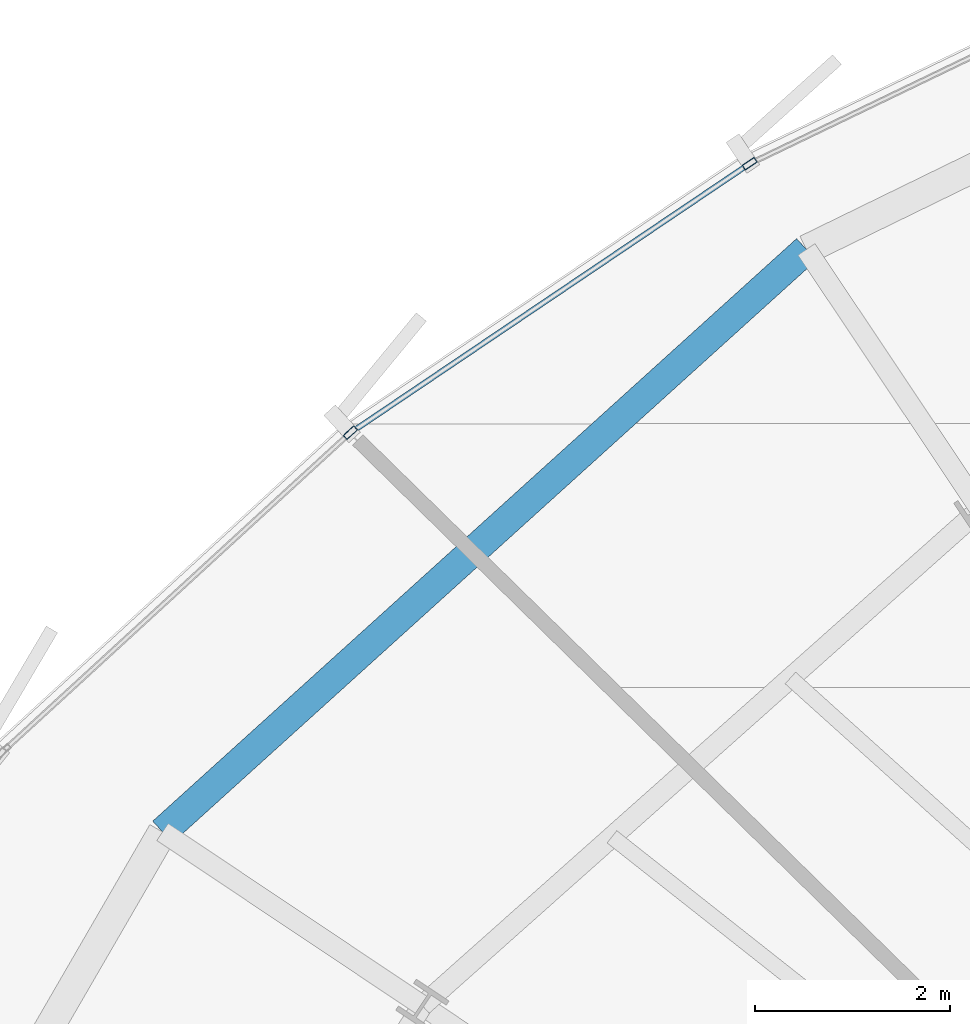
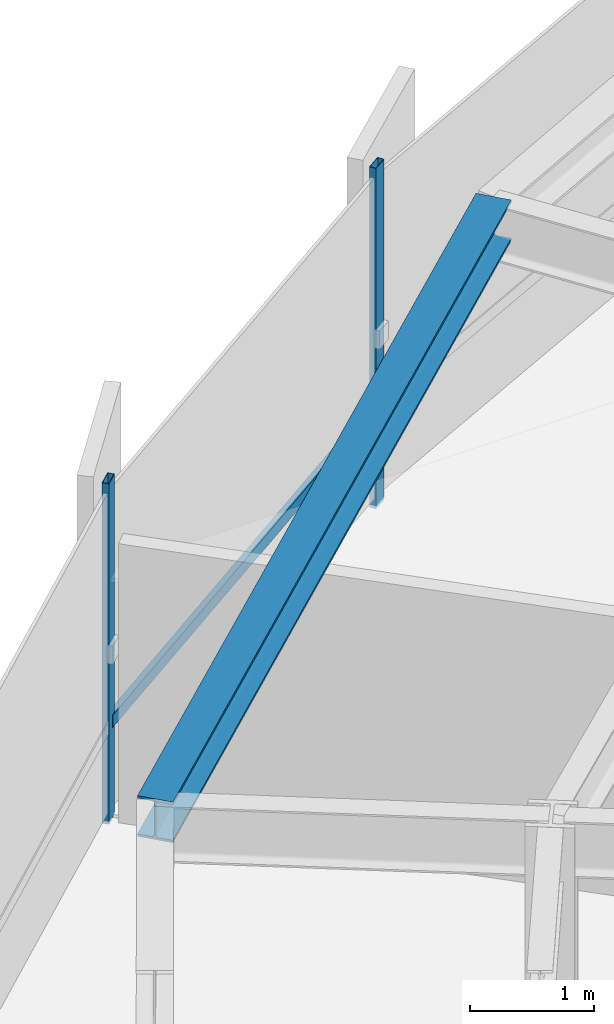
# One storey, part 19 of 35: 3 members, 1 beam, 1 element without a shape of its own.
"""IFC4 building model written with IfcOpenShell, lengths in metres."""

import ifcopenshell
import ifcopenshell.guid

model = None  # the IFC model being written
_history = None  # IfcOwnerHistory: only IFC2X3 demands one
_inside = {}  # id of a spatial element -> (the spatial element, [elements in it])
_under = {}  # id of a project, library or spatial element -> (it, [spatial elements below it])
_declared = {}  # id of a project -> (the project, [libraries it declares])
_typed = {}  # id of a type object -> (the type object, [elements of that type])
_made_of = {}  # id of a material, layer set ... -> (it, [elements and type objects made of it])


def new_model(schema):
    """Start an empty IFC model of exactly this schema.

    Asked for "IFC4X3", IfcOpenShell would pick the latest addendum, in which some entities
    have other attributes; the version numbers below select the first issue.
    IFC2X3 requires an IfcOwnerHistory on every rooted entity: one is made here for all.
    """
    global model, _history
    if schema == "IFC4X3":
        model = ifcopenshell.file(schema_version=(4, 3, 0, 0))
    else:
        model = ifcopenshell.file(schema=schema)
    _inside.clear()
    _under.clear()
    _declared.clear()
    _typed.clear()
    _made_of.clear()
    _history = None
    if model.schema == "IFC2X3":
        org = make("IfcOrganization", Name="unknown")
        user = make(
            "IfcPersonAndOrganization",
            ThePerson=make("IfcPerson", FamilyName="unknown"),
            TheOrganization=org,
        )
        app = make(
            "IfcApplication",
            ApplicationDeveloper=org,
            Version="unknown",
            ApplicationFullName="unknown",
            ApplicationIdentifier="unknown",
        )
        _history = make(
            "IfcOwnerHistory",
            OwningUser=user,
            OwningApplication=app,
            ChangeAction="ADDED",
            CreationDate=0,
        )
    return model


def make(cls, **values):
    """One entity of the class cls with the attributes given. An attribute that is None is left unset."""
    return model.create_entity(
        cls, **{name: value for name, value in values.items() if value is not None}
    )


def rooted(cls, **values):
    """An entity with a GlobalId (a new one), such as an element, a storey or a relation."""
    return make(cls, GlobalId=ifcopenshell.guid.new(), OwnerHistory=_history, **values)


def si_unit(unit_type, name, prefix=None):
    """IfcSIUnit, for example si_unit("LENGTHUNIT", "METRE", prefix="MILLI")."""
    return make("IfcSIUnit", UnitType=unit_type, Prefix=prefix, Name=name)


def assignment(units):
    """IfcUnitAssignment: the units of a project."""
    return None if units is None else make("IfcUnitAssignment", Units=units)


def point(xyz):
    """IfcCartesianPoint."""
    return None if xyz is None else make("IfcCartesianPoint", Coordinates=xyz)


def direction(xyz):
    """IfcDirection."""
    return None if xyz is None else make("IfcDirection", DirectionRatios=xyz)


def frame(location, z_axis=None, x_axis=None):
    """IfcAxis2Placement3D, a coordinate frame: its origin and axes. An axis left out is left unset."""
    return make(
        "IfcAxis2Placement3D",
        Location=point(location),
        Axis=direction(z_axis),
        RefDirection=direction(x_axis),
    )


def frame_2d(location, x_axis=None):
    """IfcAxis2Placement2D, a coordinate frame in the plane: its origin and x axis."""
    return make(
        "IfcAxis2Placement2D", Location=point(location), RefDirection=direction(x_axis)
    )


def origin():
    """The frame at (0, 0, 0) with its axes left unset."""
    return frame((0.0, 0.0, 0.0))


def origin_2d():
    """The frame at (0, 0) in the plane with its x axis left unset."""
    return frame_2d((0.0, 0.0))


def place(relative_to, where):
    """IfcLocalPlacement: puts the frame where relative to a parent placement (None: the world)."""
    return make(
        "IfcLocalPlacement", PlacementRelTo=relative_to, RelativePlacement=where
    )


def context(
    kind, dimensions, precision=None, world=None, true_north=None, identifier=None
):
    """IfcGeometricRepresentationContext, for example the 3D "Model" context."""
    return make(
        "IfcGeometricRepresentationContext",
        ContextIdentifier=identifier,
        ContextType=kind,
        CoordinateSpaceDimension=dimensions,
        Precision=precision,
        WorldCoordinateSystem=world,
        TrueNorth=true_north,
    )


def subcontext(parent, identifier, kind, view, scale=None):
    """IfcGeometricRepresentationSubContext, for example "Body" below "Model"."""
    return make(
        "IfcGeometricRepresentationSubContext",
        ContextIdentifier=identifier,
        ContextType=kind,
        ParentContext=parent,
        TargetScale=scale,
        TargetView=view,
    )


def project(units=None, contexts=None):
    """IfcProject with its units and contexts."""
    return rooted(
        "IfcProject",
        Name="project",
        RepresentationContexts=contexts,
        UnitsInContext=assignment(units),
    )


def spatial(cls, under=None, at=None, **own):
    """A site, building, storey or space (cls), placed at a placement, below another one or the project."""
    s = rooted(cls, ObjectPlacement=at, **own)
    if under is not None:
        _under.setdefault(under.id(), (under, []))[1].append(s)
    return s


def profile(cls, at=None, kind="AREA", **sizes):
    """A parametric profile (cls). Its sizes go by their IFC names, for example OverallWidth=200.0."""
    return make(cls, ProfileType=kind, Position=at, **sizes)


def hollow_rectangle(**sizes):
    """IfcRectangleHollowProfileDef."""
    return profile("IfcRectangleHollowProfileDef", **sizes)


def i_section(**sizes):
    """IfcIShapeProfileDef."""
    return profile("IfcIShapeProfileDef", **sizes)


def extrude(swept, where, along, depth):
    """IfcExtrudedAreaSolid: the profile swept, set in the frame where, extruded along a direction by depth."""
    return make(
        "IfcExtrudedAreaSolid",
        SweptArea=swept,
        Position=where,
        ExtrudedDirection=direction(along),
        Depth=depth,
    )


def shape(context_of_items, identifier, shape_type, items):
    """IfcShapeRepresentation: the items that make up one representation, for example the "Body"."""
    return make(
        "IfcShapeRepresentation",
        ContextOfItems=context_of_items,
        RepresentationIdentifier=identifier,
        RepresentationType=shape_type,
        Items=items,
    )


def source(mapping_origin, context_of_items, identifier, shape_type, items):
    """IfcRepresentationMap: a shape defined once, which mapped items show again and again."""
    return make(
        "IfcRepresentationMap",
        MappingOrigin=mapping_origin,
        MappedRepresentation=shape(context_of_items, identifier, shape_type, items),
    )


def transform(
    local_origin,
    x_axis=None,
    y_axis=None,
    z_axis=None,
    scale=None,
    scale2=None,
    scale3=None,
    uniform=True,
):
    """IfcCartesianTransformationOperator3D, or its non-uniform kind. x_axis, y_axis, z_axis: its Axis1, 2, 3."""
    if uniform:
        return make(
            "IfcCartesianTransformationOperator3D",
            Axis1=direction(x_axis),
            Axis2=direction(y_axis),
            LocalOrigin=point(local_origin),
            Scale=scale,
            Axis3=direction(z_axis),
        )
    return make(
        "IfcCartesianTransformationOperator3DnonUniform",
        Axis1=direction(x_axis),
        Axis2=direction(y_axis),
        LocalOrigin=point(local_origin),
        Scale=scale,
        Axis3=direction(z_axis),
        Scale2=scale2,
        Scale3=scale3,
    )


def mapped(mapping_source, mapping_target):
    """IfcMappedItem: shows the shape of a source again, moved by a transform."""
    return make(
        "IfcMappedItem", MappingSource=mapping_source, MappingTarget=mapping_target
    )


def material(Name=None, Category=None):
    """IfcMaterial."""
    return make("IfcMaterial", Name=Name, Category=Category)


def layer(
    of_material, thickness, ventilated=None, Name=None, Category=None, Priority=None
):
    """IfcMaterialLayer: one layer of a wall or slab, of a material (None: an air gap)."""
    return make(
        "IfcMaterialLayer",
        Material=of_material,
        LayerThickness=thickness,
        IsVentilated=ventilated,
        Name=Name,
        Category=Category,
        Priority=Priority,
    )


def layer_set(layers, Name=None):
    """IfcMaterialLayerSet."""
    return make("IfcMaterialLayerSet", MaterialLayers=layers, LayerSetName=Name)


def material_profile(
    of_material, cross_section, Name=None, Category=None, Priority=None
):
    """IfcMaterialProfile: a cross section and its material."""
    return make(
        "IfcMaterialProfile",
        Name=Name,
        Material=of_material,
        Profile=cross_section,
        Priority=Priority,
        Category=Category,
    )


def profile_set(profiles, Name=None, composite=None):
    """IfcMaterialProfileSet."""
    return make(
        "IfcMaterialProfileSet",
        Name=Name,
        MaterialProfiles=profiles,
        CompositeProfile=composite,
    )


def made_of(thing, what):
    """Note that an element or type object is made of a material, layer set ...; save() writes the relation."""
    if what is not None:
        _made_of.setdefault(what.id(), (what, []))[1].append(thing)
    return thing


def type_object(cls, material=None, **own):
    """A type object (cls), such as IfcWallType, which elements share."""
    return made_of(rooted(cls, **own), material)


def element(
    cls,
    number,
    at=None,
    inside=None,
    cuts=None,
    type_object=None,
    material=None,
    context=None,
    identifier="Body",
    shape_type=None,
    held_by="IfcProductDefinitionShape",
    body=None,
    shapes=None,
    **own,
):
    """One element of the class cls, such as IfcWall. Its Tag is "e" and its number.

    at: its placement. inside: the storey or other place that contains it. cuts: it is an
    opening in that element (IfcRelVoidsElement). A single representation is given by context,
    identifier, shape_type and body (its items); several are given by shapes. held_by: the class
    of the entity that holds the representations. save() writes the other relations.
    """
    e = rooted(cls, Tag="e%d" % number, ObjectPlacement=at, **own)
    if body is not None:
        shapes = [shape(context, identifier, shape_type, body)]
    if shapes is not None:
        e.Representation = make(held_by, Representations=shapes)
    if inside is not None:
        _inside.setdefault(inside.id(), (inside, []))[1].append(e)
    if cuts is not None:
        rooted(
            "IfcRelVoidsElement", RelatingBuildingElement=cuts, RelatedOpeningElement=e
        )
    if type_object is not None:
        _typed.setdefault(type_object.id(), (type_object, []))[1].append(e)
    return made_of(e, material)


def aggregate(whole, parts):
    """IfcRelAggregates: a whole, such as a stair, and the parts it consists of."""
    return rooted("IfcRelAggregates", RelatingObject=whole, RelatedObjects=parts)


def save(model, path):
    """Write the relations noted so far, then the file.

    IfcRelAggregates (storeys below a building ...), IfcRelContainedInSpatialStructure (elements
    in a storey), IfcRelDefinesByType, IfcRelAssociatesMaterial and IfcRelDeclares: one each for
    every whole, place, type object, material and project.
    """
    for whole, parts in _under.values():
        aggregate(whole, parts)
    for where, things in _inside.values():
        rooted(
            "IfcRelContainedInSpatialStructure",
            RelatedElements=things,
            RelatingStructure=where,
        )
    for kind, things in _typed.values():
        rooted("IfcRelDefinesByType", RelatedObjects=things, RelatingType=kind)
    for what, things in _made_of.values():
        rooted("IfcRelAssociatesMaterial", RelatedObjects=things, RelatingMaterial=what)
    for by, libraries in _declared.values():
        rooted("IfcRelDeclares", RelatingContext=by, RelatedDefinitions=libraries)
    model.write(path)


model = new_model("IFC4")

# Units and contexts
model_context = context("Model", 3, precision=1e-05, world=origin(), true_north=direction((0.0, 1.0)))
body_context = subcontext(model_context, "Body", "Model", "MODEL_VIEW")
ifc_project = project(units=[si_unit("LENGTHUNIT", "METRE"), si_unit("AREAUNIT", "SQUARE_METRE"), si_unit("VOLUMEUNIT", "CUBIC_METRE"), si_unit("PLANEANGLEUNIT", "RADIAN"), si_unit("MASSUNIT", "GRAM", prefix="KILO"), si_unit("THERMODYNAMICTEMPERATUREUNIT", "KELVIN")], contexts=[model_context])

# Site, building, storey
site_placement = place(None, origin())
site = spatial("IfcSite", under=ifc_project, at=site_placement, CompositionType="ELEMENT")
building_placement = place(site_placement, origin())
building = spatial("IfcBuilding", under=site, at=building_placement, Name="Kethvar Cultural Tower", CompositionType="ELEMENT")
storey_placement = place(building_placement, frame((0.0, 0.0, 121.60009765625)))
storey = spatial("IfcBuildingStorey", under=building, at=storey_placement, Name="L30", CompositionType="ELEMENT", Elevation=121.60009765625)

# Beam
ifc_material_1 = material(Name="Steel S355J2", Category="steel")
ifc_material_profile_1 = material_profile(ifc_material_1, i_section(OverallWidth=0.300048828125, OverallDepth=0.39990234375, WebThickness=0.013427734375, FlangeThickness=0.02392578125, FilletRadius=0.027099609375, at=origin_2d()), Name="Steel S355J2 — HEB400")
ifc_profile_set_1 = profile_set([ifc_material_profile_1], Name="Steel S355J2 — HEB400")
beam_type = type_object("IfcBeamType", Name="BM-SP400", PredefinedType="SPANDREL", material=ifc_profile_set_1)
shared_shape_1 = source(origin(), body_context, "Body", "SweptSolid", [
    extrude(i_section(OverallWidth=0.300048828125, OverallDepth=0.39990234375, WebThickness=0.013427734375, FlangeThickness=0.02392578125, FilletRadius=0.027099609375, at=origin_2d()), origin(), (0.0, 0.0, 1.0), 8.892822265625),
])
beam_placement = place(storey_placement, frame((34.27978515625, 46.5380859375, 3.14794921875), z_axis=(-0.741556591679, -0.670890319901, 0.0), x_axis=(0.670890319901, -0.741556591679, 0.0)))
element("IfcBeam", 1, at=beam_placement, inside=storey, type_object=beam_type, Name="L30 Perimeter Spandrel Beam SP-06", PredefinedType="SPANDREL", context=body_context, shape_type="MappedRepresentation", body=[
    mapped(shared_shape_1, transform((0.0, 0.0, 0.0), scale=1.0)),
])

# Curtain wall, members
ifc_material_2 = material(Name="Aluminium 6063-T6", Category="aluminium")
ifc_layer = layer(ifc_material_2, 0.179931640625, Name="Aluminium 6063-T6", Category="aluminium")
ifc_layer_set = layer_set([ifc_layer], Name="Aluminium 6063-T6 (180 mm)")
curtain_wall_type = type_object("IfcCurtainWallType", Name="CW-SYS-03-Z2", PredefinedType="NOTDEFINED", material=ifc_layer_set)
curtain_wall_placement = place(storey_placement, origin())
curtain_wall = element("IfcCurtainWall", 2, at=curtain_wall_placement, inside=storey, type_object=curtain_wall_type, Name="L30 Curtain Wall Run 02", PredefinedType="NOTDEFINED")
ifc_material_profile_2 = material_profile(ifc_material_2, hollow_rectangle(XDim=0.06005859375, YDim=0.14990234375, WallThickness=0.0048828125, at=origin_2d()), Name="Aluminium 6063-T6 — RHS150x60x5")
ifc_profile_set_2 = profile_set([ifc_material_profile_2], Name="Aluminium 6063-T6 — RHS150x60x5")
member_type_1 = type_object("IfcMemberType", Name="CW-SYS-03-Z2-MUL", PredefinedType="MULLION", material=ifc_profile_set_2)
shared_shape_2 = source(origin(), body_context, "Body", "SweptSolid", [
    extrude(hollow_rectangle(XDim=0.06005859375, YDim=0.14990234375, WallThickness=0.0048828125, at=origin_2d()), origin(), (0.0, 0.0, 1.0), 3.349853515625),
])
member_1_placement = place(storey_placement, frame((33.69873046875, 47.41650390625, 0.0), z_axis=(0.0, 0.0, 1.0), x_axis=(0.559019257984, -0.829154671459, 0.0)))
member_1 = element("IfcMember", 3, at=member_1_placement, type_object=member_type_1, Name="CW-L30-R02 Mullion 5", PredefinedType="MULLION", context=body_context, shape_type="MappedRepresentation", body=[
    mapped(shared_shape_2, transform((0.0, 0.0, 0.0), scale=1.0)),
])
member_2_placement = place(storey_placement, frame((29.609130859375, 44.660888671875, 0.0), z_axis=(0.0, 0.0, 1.0), x_axis=(0.675860388489, -0.73702967055, 0.0)))
member_2 = element("IfcMember", 4, at=member_2_placement, type_object=member_type_1, Name="CW-L30-R02 Mullion 6", PredefinedType="MULLION", context=body_context, shape_type="MappedRepresentation", body=[
    mapped(shared_shape_2, transform((0.0, 0.0, 0.0), scale=1.0)),
])
ifc_material_profile_3 = material_profile(ifc_material_2, hollow_rectangle(XDim=0.054931640625, YDim=0.1201171875, WallThickness=0.00390625, at=origin_2d()), Name="Aluminium 6063-T6 — RHS120x55x4")
ifc_profile_set_3 = profile_set([ifc_material_profile_3], Name="Aluminium 6063-T6 — RHS120x55x4")
member_type_2 = type_object("IfcMemberType", Name="CW-SYS-03-Z2-TRN", PredefinedType="USERDEFINED", material=ifc_profile_set_3)
shared_shape_3 = source(origin(), body_context, "Body", "SweptSolid", [
    extrude(hollow_rectangle(XDim=0.054931640625, YDim=0.1201171875, WallThickness=0.00390625, at=origin_2d()), origin(), (0.0, 0.0, 1.0), 4.862060546875),
])
member_3_placement = place(storey_placement, frame((33.662841796875, 47.392578125, 0.949951171875), z_axis=(-0.829141955993, -0.559038117495, 0.0), x_axis=(0.559038117495, -0.829141955993, 0.0)))
member_3 = element("IfcMember", 5, at=member_3_placement, type_object=member_type_2, Name="CW-L30-R02 Transom 5", ObjectType="TRANSOM", PredefinedType="USERDEFINED", context=body_context, shape_type="MappedRepresentation", body=[
    mapped(shared_shape_3, transform((0.0, 0.0, 0.0), scale=1.0)),
])
aggregate(curtain_wall, [member_1, member_2, member_3])

save(model, "model.ifc")
